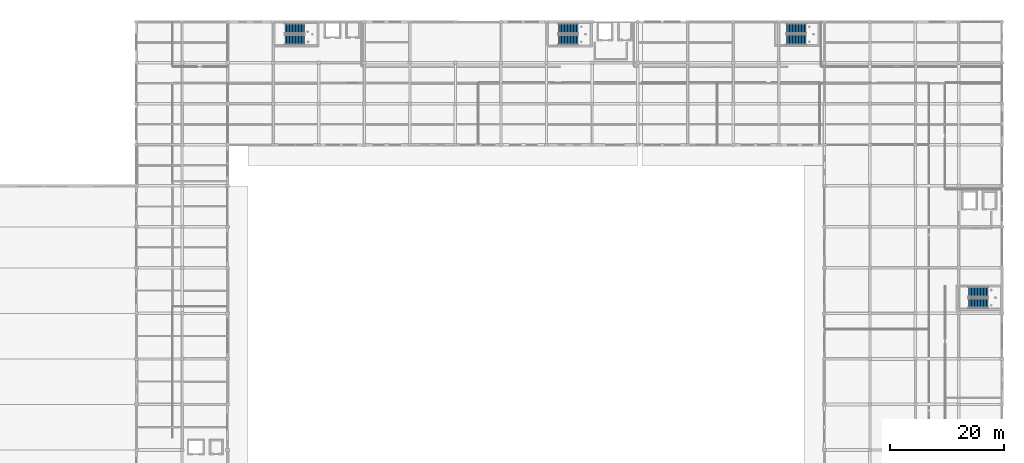
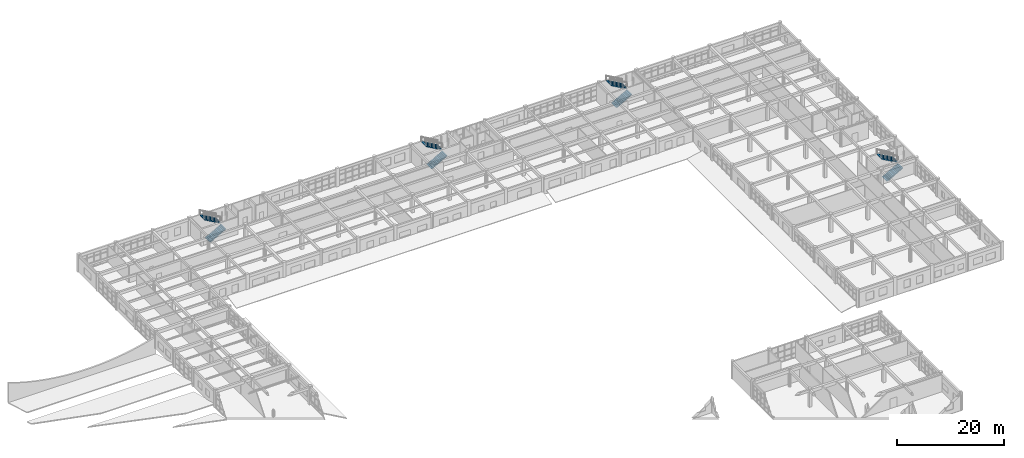
# One storey, part 113 of 121: 8 stair flights, 4 elements without a shape of their own.
"""IFC4 building model written with IfcOpenShell, lengths in metres."""

from ifc_helpers import new_model, si_unit, direction, frame, origin, place, context, subcontext, project, spatial, polyline, outline, extrude, material, type_object, element, aggregate, save


model = new_model("IFC4")

# Units and contexts
model_context = context("Model", 3, precision=1e-05, world=origin(), true_north=direction((0.0, 1.0)))
body_context = subcontext(model_context, "Body", "Model", "MODEL_VIEW")
ifc_project = project(units=[si_unit("LENGTHUNIT", "METRE"), si_unit("AREAUNIT", "SQUARE_METRE"), si_unit("VOLUMEUNIT", "CUBIC_METRE"), si_unit("PLANEANGLEUNIT", "RADIAN"), si_unit("MASSUNIT", "GRAM", prefix="KILO")], contexts=[model_context])

# Site, building, storey
site_placement = place(None, origin())
site = spatial("IfcSite", under=ifc_project, at=site_placement, CompositionType="ELEMENT")
building_placement = place(site_placement, origin())
building = spatial("IfcBuilding", under=site, at=building_placement, Name="Kharva Crest Polytechnic", CompositionType="ELEMENT")
storey_placement = place(building_placement, frame((0.0, 0.0, 13.199951171875)))
storey = spatial("IfcBuildingStorey", under=building, at=storey_placement, Name="L03", CompositionType="ELEMENT", Elevation=13.199951171875)

# Stair, stair flights
ifc_material = material(Name="Concrete C35/45", Category="concrete")
stair_type_1 = type_object("IfcStairType", Name="STR-DOGLEG-1780", PredefinedType="TWO_STRAIGHT_RUN_STAIR", material=ifc_material)
stair_1_placement = place(storey_placement, origin())
stair_1 = element("IfcStair", 1, at=stair_1_placement, inside=storey, type_object=stair_type_1, Name="L03 North-West Lab Core C3", PredefinedType="TWO_STRAIGHT_RUN_STAIR")
stair_flight_type_1 = type_object("IfcStairFlightType", Name="STF-RC-1780", PredefinedType="STRAIGHT", material=ifc_material)
stair_flight_1_placement = place(storey_placement, frame((58.090087890625, 118.830078125, 0.0), z_axis=(0.0, 0.0, 1.0), x_axis=(1.0, 0.0, 0.0)))
stair_flight_1 = element("IfcStairFlight", 2, at=stair_flight_1_placement, type_object=stair_flight_type_1, Name="ST-03 flight 1", NumberOfRisers=14, NumberOfTreads=13, PredefinedType="STRAIGHT", RiserHeight=0.15, TreadLength=0.265, context=body_context, shape_type="SweptSolid", body=[
    extrude(outline(polyline([(0.0, 0.0), (0.0, 0.14990234375), (0.264892578125, 0.14990234375), (0.264892578125, 0.300048828125), (0.530029296875, 0.300048828125), (0.530029296875, 0.449951171875), (0.794921875, 0.449951171875), (0.794921875, 0.60009765625), (1.06005859375, 0.60009765625), (1.06005859375, 0.75), (1.324951171875, 0.75), (1.324951171875, 0.89990234375), (1.590087890625, 0.89990234375), (1.590087890625, 1.050048828125), (1.85498046875, 1.050048828125), (1.85498046875, 1.199951171875), (2.1201171875, 1.199951171875), (2.1201171875, 1.35009765625), (2.385009765625, 1.35009765625), (2.385009765625, 1.5), (2.64990234375, 1.5), (2.64990234375, 1.64990234375), (2.9150390625, 1.64990234375), (2.9150390625, 1.800048828125), (3.179931640625, 1.800048828125), (3.179931640625, 1.949951171875), (3.445068359375, 1.949951171875), (3.445068359375, 2.10009765625), (3.445068359375, 1.766357421875), (0.32470703125, 0.0), (0.0, 0.0)])), frame((0.0, 0.89013671875, 0.0), z_axis=(0.0, -1.0, 0.0), x_axis=(1.0, 0.0, 0.0)), (0.0, 0.0, 1.0), 1.780029296875),
])
stair_flight_2_placement = place(storey_placement, frame((61.534912109375, 120.81005859375, 2.10009765625), z_axis=(0.0, 0.0, 1.0), x_axis=(-1.0, 0.0, 0.0)))
stair_flight_2 = element("IfcStairFlight", 3, at=stair_flight_2_placement, type_object=stair_flight_type_1, Name="ST-03 flight 2", NumberOfRisers=14, NumberOfTreads=13, PredefinedType="STRAIGHT", RiserHeight=0.15, TreadLength=0.265, context=body_context, shape_type="SweptSolid", body=[
    extrude(outline(polyline([(0.0, 0.0), (0.0, 0.14990234375), (0.264892578125, 0.14990234375), (0.264892578125, 0.300048828125), (0.530029296875, 0.300048828125), (0.530029296875, 0.449951171875), (0.794921875, 0.449951171875), (0.794921875, 0.60009765625), (1.06005859375, 0.60009765625), (1.06005859375, 0.75), (1.324951171875, 0.75), (1.324951171875, 0.89990234375), (1.590087890625, 0.89990234375), (1.590087890625, 1.050048828125), (1.85498046875, 1.050048828125), (1.85498046875, 1.199951171875), (2.1201171875, 1.199951171875), (2.1201171875, 1.35009765625), (2.385009765625, 1.35009765625), (2.385009765625, 1.5), (2.64990234375, 1.5), (2.64990234375, 1.64990234375), (2.9150390625, 1.64990234375), (2.9150390625, 1.800048828125), (3.179931640625, 1.800048828125), (3.179931640625, 1.949951171875), (3.445068359375, 1.949951171875), (3.445068359375, 2.10009765625), (3.445068359375, 1.766357421875), (0.32470703125, 0.0), (0.0, 0.0)])), frame((0.0, 0.89013671875, 0.0), z_axis=(0.0, -1.0, 0.0), x_axis=(1.0, 0.0, 0.0)), (0.0, 0.0, 1.0), 1.780029296875),
])
aggregate(stair_1, [stair_flight_1, stair_flight_2])

stair_2_placement = place(storey_placement, origin())
stair_2 = element("IfcStair", 4, at=stair_2_placement, inside=storey, type_object=stair_type_1, Name="L03 North Crest Firefighting Core C4", PredefinedType="TWO_STRAIGHT_RUN_STAIR")
stair_flight_3_placement = place(storey_placement, frame((106.090087890625, 118.830078125, 0.0), z_axis=(0.0, 0.0, 1.0), x_axis=(1.0, 0.0, 0.0)))
stair_flight_3 = element("IfcStairFlight", 5, at=stair_flight_3_placement, type_object=stair_flight_type_1, Name="ST-04 flight 1", NumberOfRisers=14, NumberOfTreads=13, PredefinedType="STRAIGHT", RiserHeight=0.15, TreadLength=0.265, context=body_context, shape_type="SweptSolid", body=[
    extrude(outline(polyline([(0.0, 0.0), (0.0, 0.14990234375), (0.264892578125, 0.14990234375), (0.264892578125, 0.300048828125), (0.530029296875, 0.300048828125), (0.530029296875, 0.449951171875), (0.794921875, 0.449951171875), (0.794921875, 0.60009765625), (1.06005859375, 0.60009765625), (1.06005859375, 0.75), (1.324951171875, 0.75), (1.324951171875, 0.89990234375), (1.590087890625, 0.89990234375), (1.590087890625, 1.050048828125), (1.85498046875, 1.050048828125), (1.85498046875, 1.199951171875), (2.1201171875, 1.199951171875), (2.1201171875, 1.35009765625), (2.385009765625, 1.35009765625), (2.385009765625, 1.5), (2.64990234375, 1.5), (2.64990234375, 1.64990234375), (2.9150390625, 1.64990234375), (2.9150390625, 1.800048828125), (3.179931640625, 1.800048828125), (3.179931640625, 1.949951171875), (3.445068359375, 1.949951171875), (3.445068359375, 2.10009765625), (3.445068359375, 1.766357421875), (0.32470703125, 0.0), (0.0, 0.0)])), frame((0.0, 0.89013671875, 0.0), z_axis=(0.0, -1.0, 0.0), x_axis=(1.0, 0.0, 0.0)), (0.0, 0.0, 1.0), 1.780029296875),
])
stair_flight_4_placement = place(storey_placement, frame((109.534912109375, 120.81005859375, 2.10009765625), z_axis=(0.0, 0.0, 1.0), x_axis=(-1.0, 0.0, 0.0)))
stair_flight_4 = element("IfcStairFlight", 6, at=stair_flight_4_placement, type_object=stair_flight_type_1, Name="ST-04 flight 2", NumberOfRisers=14, NumberOfTreads=13, PredefinedType="STRAIGHT", RiserHeight=0.15, TreadLength=0.265, context=body_context, shape_type="SweptSolid", body=[
    extrude(outline(polyline([(0.0, 0.0), (0.0, 0.14990234375), (0.264892578125, 0.14990234375), (0.264892578125, 0.300048828125), (0.530029296875, 0.300048828125), (0.530029296875, 0.449951171875), (0.794921875, 0.449951171875), (0.794921875, 0.60009765625), (1.06005859375, 0.60009765625), (1.06005859375, 0.75), (1.324951171875, 0.75), (1.324951171875, 0.89990234375), (1.590087890625, 0.89990234375), (1.590087890625, 1.050048828125), (1.85498046875, 1.050048828125), (1.85498046875, 1.199951171875), (2.1201171875, 1.199951171875), (2.1201171875, 1.35009765625), (2.385009765625, 1.35009765625), (2.385009765625, 1.5), (2.64990234375, 1.5), (2.64990234375, 1.64990234375), (2.9150390625, 1.64990234375), (2.9150390625, 1.800048828125), (3.179931640625, 1.800048828125), (3.179931640625, 1.949951171875), (3.445068359375, 1.949951171875), (3.445068359375, 2.10009765625), (3.445068359375, 1.766357421875), (0.32470703125, 0.0), (0.0, 0.0)])), frame((0.0, 0.89013671875, 0.0), z_axis=(0.0, -1.0, 0.0), x_axis=(1.0, 0.0, 0.0)), (0.0, 0.0, 1.0), 1.780029296875),
])
aggregate(stair_2, [stair_flight_3, stair_flight_4])

stair_3_placement = place(storey_placement, origin())
stair_3 = element("IfcStair", 7, at=stair_3_placement, inside=storey, type_object=stair_type_1, Name="L03 East Crest Firefighting Core C5", PredefinedType="TWO_STRAIGHT_RUN_STAIR")
stair_flight_5_placement = place(storey_placement, frame((178.090087890625, 72.56005859375, 0.0), z_axis=(0.0, 0.0, 1.0), x_axis=(1.0, 0.0, 0.0)))
stair_flight_5 = element("IfcStairFlight", 8, at=stair_flight_5_placement, type_object=stair_flight_type_1, Name="ST-05 flight 1", NumberOfRisers=14, NumberOfTreads=13, PredefinedType="STRAIGHT", RiserHeight=0.15, TreadLength=0.265, context=body_context, shape_type="SweptSolid", body=[
    extrude(outline(polyline([(0.0, 0.0), (0.0, 0.14990234375), (0.264892578125, 0.14990234375), (0.264892578125, 0.300048828125), (0.530029296875, 0.300048828125), (0.530029296875, 0.449951171875), (0.794921875, 0.449951171875), (0.794921875, 0.60009765625), (1.06005859375, 0.60009765625), (1.06005859375, 0.75), (1.324951171875, 0.75), (1.324951171875, 0.89990234375), (1.590087890625, 0.89990234375), (1.590087890625, 1.050048828125), (1.85498046875, 1.050048828125), (1.85498046875, 1.199951171875), (2.1201171875, 1.199951171875), (2.1201171875, 1.35009765625), (2.385009765625, 1.35009765625), (2.385009765625, 1.5), (2.64990234375, 1.5), (2.64990234375, 1.64990234375), (2.9150390625, 1.64990234375), (2.9150390625, 1.800048828125), (3.179931640625, 1.800048828125), (3.179931640625, 1.949951171875), (3.445068359375, 1.949951171875), (3.445068359375, 2.10009765625), (3.445068359375, 1.766357421875), (0.32470703125, 0.0), (0.0, 0.0)])), frame((0.0, 0.89013671875, 0.0), z_axis=(0.0, -1.0, 0.0), x_axis=(1.0, 0.0, 0.0)), (0.0, 0.0, 1.0), 1.780029296875),
])
stair_flight_6_placement = place(storey_placement, frame((181.534912109375, 74.5400390625, 2.10009765625), z_axis=(0.0, 0.0, 1.0), x_axis=(-1.0, 0.0, 0.0)))
stair_flight_6 = element("IfcStairFlight", 9, at=stair_flight_6_placement, type_object=stair_flight_type_1, Name="ST-05 flight 2", NumberOfRisers=14, NumberOfTreads=13, PredefinedType="STRAIGHT", RiserHeight=0.15, TreadLength=0.265, context=body_context, shape_type="SweptSolid", body=[
    extrude(outline(polyline([(0.0, 0.0), (0.0, 0.14990234375), (0.264892578125, 0.14990234375), (0.264892578125, 0.300048828125), (0.530029296875, 0.300048828125), (0.530029296875, 0.449951171875), (0.794921875, 0.449951171875), (0.794921875, 0.60009765625), (1.06005859375, 0.60009765625), (1.06005859375, 0.75), (1.324951171875, 0.75), (1.324951171875, 0.89990234375), (1.590087890625, 0.89990234375), (1.590087890625, 1.050048828125), (1.85498046875, 1.050048828125), (1.85498046875, 1.199951171875), (2.1201171875, 1.199951171875), (2.1201171875, 1.35009765625), (2.385009765625, 1.35009765625), (2.385009765625, 1.5), (2.64990234375, 1.5), (2.64990234375, 1.64990234375), (2.9150390625, 1.64990234375), (2.9150390625, 1.800048828125), (3.179931640625, 1.800048828125), (3.179931640625, 1.949951171875), (3.445068359375, 1.949951171875), (3.445068359375, 2.10009765625), (3.445068359375, 1.766357421875), (0.32470703125, 0.0), (0.0, 0.0)])), frame((0.0, 0.89013671875, 0.0), z_axis=(0.0, -1.0, 0.0), x_axis=(1.0, 0.0, 0.0)), (0.0, 0.0, 1.0), 1.780029296875),
])
aggregate(stair_3, [stair_flight_5, stair_flight_6])

stair_type_2 = type_object("IfcStairType", Name="STR-DOGLEG-1820", PredefinedType="TWO_STRAIGHT_RUN_STAIR", material=ifc_material)
stair_4_placement = place(storey_placement, origin())
stair_4 = element("IfcStair", 10, at=stair_4_placement, inside=storey, type_object=stair_type_2, Name="L03 North-East Library Wing Stair C9", PredefinedType="TWO_STRAIGHT_RUN_STAIR")
stair_flight_type_2 = type_object("IfcStairFlightType", Name="STF-RC-1820", PredefinedType="STRAIGHT", material=ifc_material)
stair_flight_7_placement = place(storey_placement, frame((146.1298828125, 118.85009765625, 0.0), z_axis=(0.0, 0.0, 1.0), x_axis=(1.0, 0.0, 0.0)))
stair_flight_7 = element("IfcStairFlight", 11, at=stair_flight_7_placement, type_object=stair_flight_type_2, Name="ST-09 flight 1", NumberOfRisers=14, NumberOfTreads=13, PredefinedType="STRAIGHT", RiserHeight=0.15, TreadLength=0.265, context=body_context, shape_type="SweptSolid", body=[
    extrude(outline(polyline([(0.0, 0.0), (0.0, 0.14990234375), (0.264892578125, 0.14990234375), (0.264892578125, 0.300048828125), (0.530029296875, 0.300048828125), (0.530029296875, 0.449951171875), (0.794921875, 0.449951171875), (0.794921875, 0.60009765625), (1.06005859375, 0.60009765625), (1.06005859375, 0.75), (1.324951171875, 0.75), (1.324951171875, 0.89990234375), (1.590087890625, 0.89990234375), (1.590087890625, 1.050048828125), (1.85498046875, 1.050048828125), (1.85498046875, 1.199951171875), (2.1201171875, 1.199951171875), (2.1201171875, 1.35009765625), (2.385009765625, 1.35009765625), (2.385009765625, 1.5), (2.64990234375, 1.5), (2.64990234375, 1.64990234375), (2.9150390625, 1.64990234375), (2.9150390625, 1.800048828125), (3.179931640625, 1.800048828125), (3.179931640625, 1.949951171875), (3.445068359375, 1.949951171875), (3.445068359375, 2.10009765625), (3.445068359375, 1.766357421875), (0.32470703125, 0.0), (0.0, 0.0)])), frame((0.0, 0.91015625, 0.0), z_axis=(0.0, -1.0, 0.0), x_axis=(1.0, 0.0, 0.0)), (0.0, 0.0, 1.0), 1.820068359375),
])
stair_flight_8_placement = place(storey_placement, frame((149.574951171875, 120.7900390625, 2.10009765625), z_axis=(0.0, 0.0, 1.0), x_axis=(-1.0, 0.0, 0.0)))
stair_flight_8 = element("IfcStairFlight", 12, at=stair_flight_8_placement, type_object=stair_flight_type_2, Name="ST-09 flight 2", NumberOfRisers=14, NumberOfTreads=13, PredefinedType="STRAIGHT", RiserHeight=0.15, TreadLength=0.265, context=body_context, shape_type="SweptSolid", body=[
    extrude(outline(polyline([(0.0, 0.0), (0.0, 0.14990234375), (0.264892578125, 0.14990234375), (0.264892578125, 0.300048828125), (0.530029296875, 0.300048828125), (0.530029296875, 0.449951171875), (0.794921875, 0.449951171875), (0.794921875, 0.60009765625), (1.06005859375, 0.60009765625), (1.06005859375, 0.75), (1.324951171875, 0.75), (1.324951171875, 0.89990234375), (1.590087890625, 0.89990234375), (1.590087890625, 1.050048828125), (1.85498046875, 1.050048828125), (1.85498046875, 1.199951171875), (2.1201171875, 1.199951171875), (2.1201171875, 1.35009765625), (2.385009765625, 1.35009765625), (2.385009765625, 1.5), (2.64990234375, 1.5), (2.64990234375, 1.64990234375), (2.9150390625, 1.64990234375), (2.9150390625, 1.800048828125), (3.179931640625, 1.800048828125), (3.179931640625, 1.949951171875), (3.445068359375, 1.949951171875), (3.445068359375, 2.10009765625), (3.445068359375, 1.766357421875), (0.32470703125, 0.0), (0.0, 0.0)])), frame((0.0, 0.91015625, 0.0), z_axis=(0.0, -1.0, 0.0), x_axis=(1.0, 0.0, 0.0)), (0.0, 0.0, 1.0), 1.820068359375),
])
aggregate(stair_4, [stair_flight_7, stair_flight_8])

save(model, "model.ifc")
